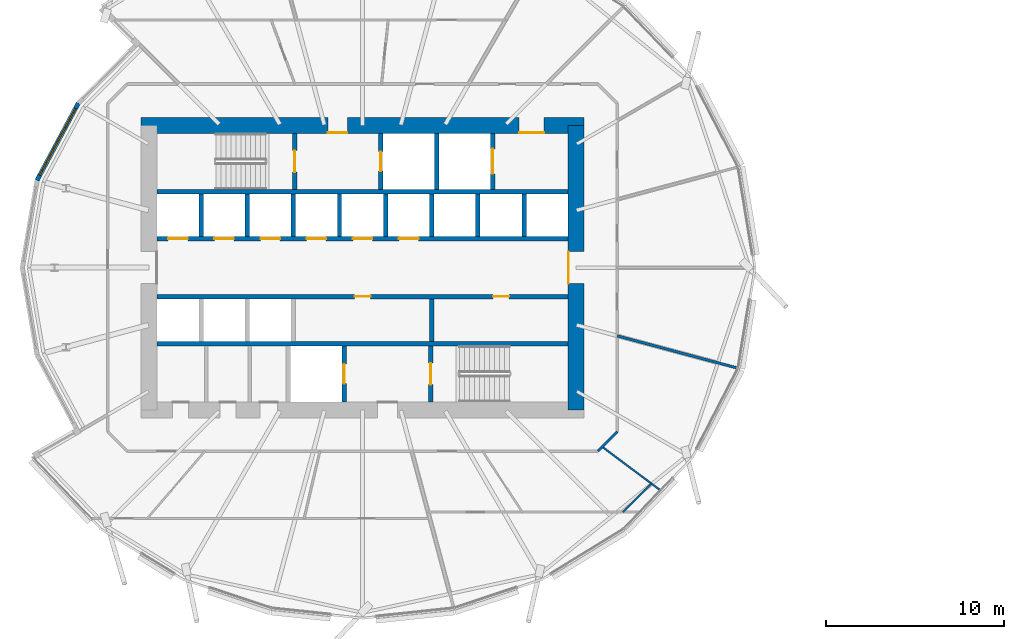
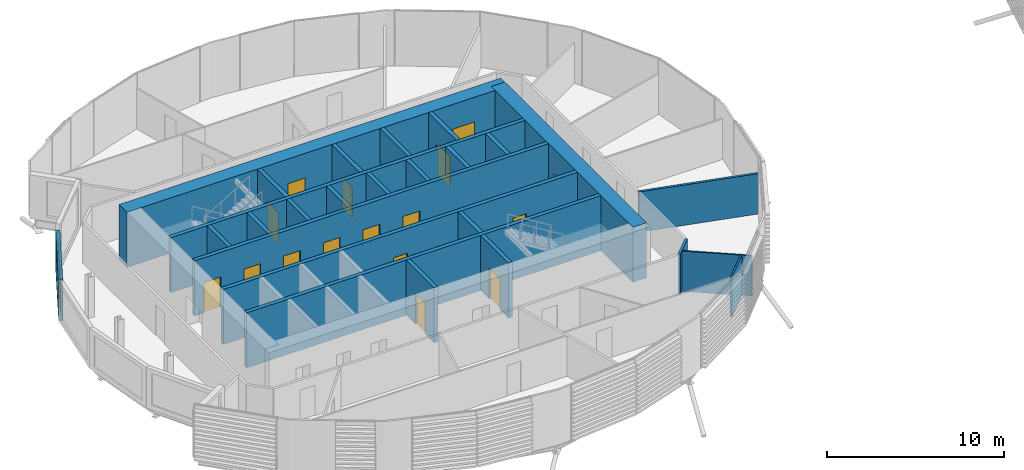
# One storey, part 20 of 36: 26 walls, 16 doors, 1 window, 17 openings.
"""IFC4 building model written with IfcOpenShell, lengths in metres."""

import ifcopenshell
import ifcopenshell.guid

model = None  # the IFC model being written
_history = None  # IfcOwnerHistory: only IFC2X3 demands one
_inside = {}  # id of a spatial element -> (the spatial element, [elements in it])
_under = {}  # id of a project, library or spatial element -> (it, [spatial elements below it])
_declared = {}  # id of a project -> (the project, [libraries it declares])
_typed = {}  # id of a type object -> (the type object, [elements of that type])
_made_of = {}  # id of a material, layer set ... -> (it, [elements and type objects made of it])


def new_model(schema):
    """Start an empty IFC model of exactly this schema.

    Asked for "IFC4X3", IfcOpenShell would pick the latest addendum, in which some entities
    have other attributes; the version numbers below select the first issue.
    IFC2X3 requires an IfcOwnerHistory on every rooted entity: one is made here for all.
    """
    global model, _history
    if schema == "IFC4X3":
        model = ifcopenshell.file(schema_version=(4, 3, 0, 0))
    else:
        model = ifcopenshell.file(schema=schema)
    _inside.clear()
    _under.clear()
    _declared.clear()
    _typed.clear()
    _made_of.clear()
    _history = None
    if model.schema == "IFC2X3":
        org = make("IfcOrganization", Name="unknown")
        user = make(
            "IfcPersonAndOrganization",
            ThePerson=make("IfcPerson", FamilyName="unknown"),
            TheOrganization=org,
        )
        app = make(
            "IfcApplication",
            ApplicationDeveloper=org,
            Version="unknown",
            ApplicationFullName="unknown",
            ApplicationIdentifier="unknown",
        )
        _history = make(
            "IfcOwnerHistory",
            OwningUser=user,
            OwningApplication=app,
            ChangeAction="ADDED",
            CreationDate=0,
        )
    return model


def make(cls, **values):
    """One entity of the class cls with the attributes given. An attribute that is None is left unset."""
    return model.create_entity(
        cls, **{name: value for name, value in values.items() if value is not None}
    )


def rooted(cls, **values):
    """An entity with a GlobalId (a new one), such as an element, a storey or a relation."""
    return make(cls, GlobalId=ifcopenshell.guid.new(), OwnerHistory=_history, **values)


def si_unit(unit_type, name, prefix=None):
    """IfcSIUnit, for example si_unit("LENGTHUNIT", "METRE", prefix="MILLI")."""
    return make("IfcSIUnit", UnitType=unit_type, Prefix=prefix, Name=name)


def assignment(units):
    """IfcUnitAssignment: the units of a project."""
    return None if units is None else make("IfcUnitAssignment", Units=units)


def point(xyz):
    """IfcCartesianPoint."""
    return None if xyz is None else make("IfcCartesianPoint", Coordinates=xyz)


def direction(xyz):
    """IfcDirection."""
    return None if xyz is None else make("IfcDirection", DirectionRatios=xyz)


def frame(location, z_axis=None, x_axis=None):
    """IfcAxis2Placement3D, a coordinate frame: its origin and axes. An axis left out is left unset."""
    return make(
        "IfcAxis2Placement3D",
        Location=point(location),
        Axis=direction(z_axis),
        RefDirection=direction(x_axis),
    )


def frame_2d(location, x_axis=None):
    """IfcAxis2Placement2D, a coordinate frame in the plane: its origin and x axis."""
    return make(
        "IfcAxis2Placement2D", Location=point(location), RefDirection=direction(x_axis)
    )


def origin():
    """The frame at (0, 0, 0) with its axes left unset."""
    return frame((0.0, 0.0, 0.0))


def place(relative_to, where):
    """IfcLocalPlacement: puts the frame where relative to a parent placement (None: the world)."""
    return make(
        "IfcLocalPlacement", PlacementRelTo=relative_to, RelativePlacement=where
    )


def context(
    kind, dimensions, precision=None, world=None, true_north=None, identifier=None
):
    """IfcGeometricRepresentationContext, for example the 3D "Model" context."""
    return make(
        "IfcGeometricRepresentationContext",
        ContextIdentifier=identifier,
        ContextType=kind,
        CoordinateSpaceDimension=dimensions,
        Precision=precision,
        WorldCoordinateSystem=world,
        TrueNorth=true_north,
    )


def subcontext(parent, identifier, kind, view, scale=None):
    """IfcGeometricRepresentationSubContext, for example "Body" below "Model"."""
    return make(
        "IfcGeometricRepresentationSubContext",
        ContextIdentifier=identifier,
        ContextType=kind,
        ParentContext=parent,
        TargetScale=scale,
        TargetView=view,
    )


def project(units=None, contexts=None):
    """IfcProject with its units and contexts."""
    return rooted(
        "IfcProject",
        Name="project",
        RepresentationContexts=contexts,
        UnitsInContext=assignment(units),
    )


def spatial(cls, under=None, at=None, **own):
    """A site, building, storey or space (cls), placed at a placement, below another one or the project."""
    s = rooted(cls, ObjectPlacement=at, **own)
    if under is not None:
        _under.setdefault(under.id(), (under, []))[1].append(s)
    return s


def profile(cls, at=None, kind="AREA", **sizes):
    """A parametric profile (cls). Its sizes go by their IFC names, for example OverallWidth=200.0."""
    return make(cls, ProfileType=kind, Position=at, **sizes)


def rectangle(**sizes):
    """IfcRectangleProfileDef."""
    return profile("IfcRectangleProfileDef", **sizes)


def extrude(swept, where, along, depth):
    """IfcExtrudedAreaSolid: the profile swept, set in the frame where, extruded along a direction by depth."""
    return make(
        "IfcExtrudedAreaSolid",
        SweptArea=swept,
        Position=where,
        ExtrudedDirection=direction(along),
        Depth=depth,
    )


def shape(context_of_items, identifier, shape_type, items):
    """IfcShapeRepresentation: the items that make up one representation, for example the "Body"."""
    return make(
        "IfcShapeRepresentation",
        ContextOfItems=context_of_items,
        RepresentationIdentifier=identifier,
        RepresentationType=shape_type,
        Items=items,
    )


def material(Name=None, Category=None):
    """IfcMaterial."""
    return make("IfcMaterial", Name=Name, Category=Category)


def layer(
    of_material, thickness, ventilated=None, Name=None, Category=None, Priority=None
):
    """IfcMaterialLayer: one layer of a wall or slab, of a material (None: an air gap)."""
    return make(
        "IfcMaterialLayer",
        Material=of_material,
        LayerThickness=thickness,
        IsVentilated=ventilated,
        Name=Name,
        Category=Category,
        Priority=Priority,
    )


def layer_set(layers, Name=None):
    """IfcMaterialLayerSet."""
    return make("IfcMaterialLayerSet", MaterialLayers=layers, LayerSetName=Name)


def made_of(thing, what):
    """Note that an element or type object is made of a material, layer set ...; save() writes the relation."""
    if what is not None:
        _made_of.setdefault(what.id(), (what, []))[1].append(thing)
    return thing


def type_object(cls, material=None, **own):
    """A type object (cls), such as IfcWallType, which elements share."""
    return made_of(rooted(cls, **own), material)


def element(
    cls,
    number,
    at=None,
    inside=None,
    cuts=None,
    type_object=None,
    material=None,
    context=None,
    identifier="Body",
    shape_type=None,
    held_by="IfcProductDefinitionShape",
    body=None,
    shapes=None,
    **own,
):
    """One element of the class cls, such as IfcWall. Its Tag is "e" and its number.

    at: its placement. inside: the storey or other place that contains it. cuts: it is an
    opening in that element (IfcRelVoidsElement). A single representation is given by context,
    identifier, shape_type and body (its items); several are given by shapes. held_by: the class
    of the entity that holds the representations. save() writes the other relations.
    """
    e = rooted(cls, Tag="e%d" % number, ObjectPlacement=at, **own)
    if body is not None:
        shapes = [shape(context, identifier, shape_type, body)]
    if shapes is not None:
        e.Representation = make(held_by, Representations=shapes)
    if inside is not None:
        _inside.setdefault(inside.id(), (inside, []))[1].append(e)
    if cuts is not None:
        rooted(
            "IfcRelVoidsElement", RelatingBuildingElement=cuts, RelatedOpeningElement=e
        )
    if type_object is not None:
        _typed.setdefault(type_object.id(), (type_object, []))[1].append(e)
    return made_of(e, material)


def fill(opening, filler):
    """IfcRelFillsElement: the door or window that sits in an opening."""
    return rooted(
        "IfcRelFillsElement",
        RelatingOpeningElement=opening,
        RelatedBuildingElement=filler,
    )


def aggregate(whole, parts):
    """IfcRelAggregates: a whole, such as a stair, and the parts it consists of."""
    return rooted("IfcRelAggregates", RelatingObject=whole, RelatedObjects=parts)


def save(model, path):
    """Write the relations noted so far, then the file.

    IfcRelAggregates (storeys below a building ...), IfcRelContainedInSpatialStructure (elements
    in a storey), IfcRelDefinesByType, IfcRelAssociatesMaterial and IfcRelDeclares: one each for
    every whole, place, type object, material and project.
    """
    for whole, parts in _under.values():
        aggregate(whole, parts)
    for where, things in _inside.values():
        rooted(
            "IfcRelContainedInSpatialStructure",
            RelatedElements=things,
            RelatingStructure=where,
        )
    for kind, things in _typed.values():
        rooted("IfcRelDefinesByType", RelatedObjects=things, RelatingType=kind)
    for what, things in _made_of.values():
        rooted("IfcRelAssociatesMaterial", RelatedObjects=things, RelatingMaterial=what)
    for by, libraries in _declared.values():
        rooted("IfcRelDeclares", RelatingContext=by, RelatedDefinitions=libraries)
    model.write(path)


model = new_model("IFC4")

# Units and contexts
model_context = context("Model", 3, precision=1e-05, world=origin(), true_north=direction((0.0, 1.0)))
body_context = subcontext(model_context, "Body", "Model", "MODEL_VIEW")
ifc_project = project(units=[si_unit("LENGTHUNIT", "METRE"), si_unit("AREAUNIT", "SQUARE_METRE"), si_unit("VOLUMEUNIT", "CUBIC_METRE"), si_unit("PLANEANGLEUNIT", "RADIAN"), si_unit("MASSUNIT", "GRAM", prefix="KILO")], contexts=[model_context])

# Site, building, storey
site_placement = place(None, origin())
site = spatial("IfcSite", under=ifc_project, at=site_placement, CompositionType="ELEMENT")
building_placement = place(site_placement, origin())
building = spatial("IfcBuilding", under=site, at=building_placement, Name="Rimbun Link Towers", CompositionType="ELEMENT")
storey_placement = place(building_placement, frame((0.0, 0.0, 37.60009765625)))
storey = spatial("IfcBuildingStorey", under=building, at=storey_placement, Name="L08", CompositionType="ELEMENT", Elevation=37.60009765625)

# Wall, opening, window
ifc_material_1 = material(Name="Dark enamelled glass spandrel on insulated aluminium backpan", Category="aluminium")
ifc_layer_1 = layer(ifc_material_1, 0.25)
ifc_layer_set_1 = layer_set([ifc_layer_1], Name="CS dark enamelled spandrel wall 250")
wall_type_1 = type_object("IfcWallType", Name="CS dark enamelled spandrel wall 250", PredefinedType="STANDARD", material=ifc_layer_set_1)
wall_1_placement = place(storey_placement, frame((-50.0556640625, 4.913818359375, 0.0), z_axis=(0.0, 0.0, 1.0), x_axis=(0.47156780377, 0.881829805828, 0.0)))
wall_1 = element("IfcWall", 1, at=wall_1_placement, inside=storey, type_object=wall_type_1, Name="Crease spandrel wall", PredefinedType="STANDARD", context=body_context, shape_type="SweptSolid", body=[
    extrude(rectangle(XDim=4.914306640625, YDim=0.25, at=frame_2d((2.45703125, 0.0))), origin(), (0.0, 0.0, 1.0), 2.789306640625),
])
opening_1_placement = place(wall_1_placement, frame((0.33203125, 0.0, 0.300048828125)))
opening_1 = element("IfcOpeningElement", 2, at=opening_1_placement, cuts=wall_1, Name="Opening WR42H220", PredefinedType="OPENING", context=body_context, shape_type="SweptSolid", body=[
    extrude(rectangle(XDim=4.25, YDim=2.199951171875, at=frame_2d((2.125, 1.10009765625))), frame((0.0, 0.135009765625, 0.0), z_axis=(0.0, -1.0, 0.0), x_axis=(1.0, 0.0, 0.0)), (0.0, 0.0, 1.0), 0.27001953125),
])
ifc_material_2 = material(Name="Aluminium framed fixed window, dark tinted low-e glass", Category="aluminium")
window_type = type_object("IfcWindowType", Name="WR ribbon window 4250X2200", PartitioningType="SINGLE_PANEL", PredefinedType="WINDOW", material=ifc_material_2)
window_placement = place(opening_1_placement, origin())
window = element("IfcWindow", 3, at=window_placement, inside=storey, type_object=window_type, Name="Crease ribbon window", OverallHeight=2.199951171875, OverallWidth=4.25, PartitioningType="SINGLE_PANEL", PredefinedType="WINDOW", context=body_context, shape_type="SweptSolid", body=[
    extrude(rectangle(XDim=4.25, YDim=2.199951171875, at=frame_2d((2.125, 1.10009765625))), frame((0.0, 0.030029296875, 0.0), z_axis=(0.0, -1.0, 0.0), x_axis=(1.0, 0.0, 0.0)), (0.0, 0.0, 1.0), 0.06005859375),
])
fill(opening_1, window)

# Wall, openings, doors
ifc_material_3 = material(Name="Concrete C60/75", Category="concrete")
ifc_layer_2 = layer(ifc_material_3, 0.89990234375)
ifc_layer_set_2 = layer_set([ifc_layer_2], Name="Core shear wall 900")
wall_type_2 = type_object("IfcWallType", Name="Core shear wall 900", PredefinedType="SHEAR", material=ifc_layer_set_2)
wall_2_placement = place(storey_placement, frame((-44.199951171875, 8.0, 0.0), z_axis=(0.0, 0.0, 1.0), x_axis=(1.0, 0.0, 0.0)))
wall_2 = element("IfcWall", 4, at=wall_2_placement, inside=storey, type_object=wall_type_2, Name="L08 T1 core wall N", PredefinedType="SHEAR", context=body_context, shape_type="SweptSolid", body=[
    extrude(rectangle(XDim=24.89990234375, YDim=0.89990234375, at=frame_2d((12.449951171875, 0.0))), origin(), (0.0, 0.0, 1.0), 3.7998046875),
])
opening_2_placement = place(wall_2_placement, frame((10.5, 0.0, 0.0)))
opening_2 = element("IfcOpeningElement", 5, at=opening_2_placement, cuts=wall_2, Name="Opening C1DCF01N", PredefinedType="OPENING", context=body_context, shape_type="SweptSolid", body=[
    extrude(rectangle(XDim=1.10009765625, YDim=2.10009765625, at=frame_2d((0.550048828125, 1.050048828125))), frame((0.0, 0.4599609375, 0.0), z_axis=(0.0, -1.0, 0.0), x_axis=(1.0, 0.0, 0.0)), (0.0, 0.0, 1.0), 0.919921875),
])
opening_3_placement = place(wall_2_placement, frame((21.25, 0.0, 0.0)))
opening_3 = element("IfcOpeningElement", 6, at=opening_3_placement, cuts=wall_2, Name="Opening C1DSL02N", PredefinedType="OPENING", context=body_context, shape_type="SweptSolid", body=[
    extrude(rectangle(XDim=1.39990234375, YDim=2.10009765625, at=frame_2d((0.699951171875, 1.050048828125))), frame((0.0, 0.4599609375, 0.0), z_axis=(0.0, -1.0, 0.0), x_axis=(1.0, 0.0, 0.0)), (0.0, 0.0, 1.0), 0.919921875),
])
ifc_material_4 = material(Name="Steel fire door set", Category="steel")
door_type_1 = type_object("IfcDoorType", Name="Core fire door single", OperationType="SINGLE_SWING_LEFT", PredefinedType="DOOR", material=ifc_material_4)
door_1_placement = place(opening_2_placement, origin())
door_1 = element("IfcDoor", 7, at=door_1_placement, inside=storey, type_object=door_type_1, Name="L08 T1 firefighting lobby n door", OperationType="SINGLE_SWING_RIGHT", OverallHeight=2.10009765625, OverallWidth=1.10009765625, PredefinedType="DOOR", context=body_context, shape_type="SweptSolid", body=[
    extrude(rectangle(XDim=1.10009765625, YDim=2.10009765625, at=frame_2d((0.550048828125, 1.050048828125))), frame((0.0, -0.39990234375, 0.0), z_axis=(0.0, -1.0, 0.0), x_axis=(1.0, 0.0, 0.0)), (0.0, 0.0, 1.0), 0.050048828125),
])
fill(opening_2, door_1)
ifc_material_5 = material(Name="Steel fire door set", Category="steel")
door_type_2 = type_object("IfcDoorType", Name="Service lobby door double", OperationType="DOUBLE_DOOR_SINGLE_SWING", PredefinedType="DOOR", material=ifc_material_5)
door_2_placement = place(opening_3_placement, origin())
door_2 = element("IfcDoor", 8, at=door_2_placement, inside=storey, type_object=door_type_2, Name="L08 T1 service lobby door", OperationType="DOUBLE_DOOR_SINGLE_SWING", OverallHeight=2.10009765625, OverallWidth=1.39990234375, PredefinedType="DOOR", context=body_context, shape_type="SweptSolid", body=[
    extrude(rectangle(XDim=1.39990234375, YDim=2.10009765625, at=frame_2d((0.699951171875, 1.050048828125))), frame((0.0, -0.39990234375, 0.0), z_axis=(0.0, -1.0, 0.0), x_axis=(1.0, 0.0, 0.0)), (0.0, 0.0, 1.0), 0.050048828125),
])
fill(opening_3, door_2)

# Wall, opening, door
wall_3_placement = place(storey_placement, frame((-19.75, -8.0, 0.0), z_axis=(0.0, 0.0, 1.0), x_axis=(0.0, 1.0, 0.0)))
wall_3 = element("IfcWall", 9, at=wall_3_placement, inside=storey, type_object=wall_type_2, Name="L08 T1 core wall E", PredefinedType="SHEAR", context=body_context, shape_type="SweptSolid", body=[
    extrude(rectangle(XDim=16.0, YDim=0.89990234375, at=frame_2d((8.0, 0.0))), origin(), (0.0, 0.0, 1.0), 3.7998046875),
])
opening_4_placement = place(wall_3_placement, frame((7.10009765625, 0.0, 0.0)))
opening_4 = element("IfcOpeningElement", 10, at=opening_4_placement, cuts=wall_3, Name="Opening C1DCL01E", PredefinedType="OPENING", context=body_context, shape_type="SweptSolid", body=[
    extrude(rectangle(XDim=1.800048828125, YDim=2.10009765625, at=frame_2d((0.89990234375, 1.050048828125))), frame((0.0, 0.4599609375, 0.0), z_axis=(0.0, -1.0, 0.0), x_axis=(1.0, 0.0, 0.0)), (0.0, 0.0, 1.0), 0.919921875),
])
ifc_material_6 = material(Name="Steel fire door set", Category="steel")
door_type_3 = type_object("IfcDoorType", Name="Core lobby door double", OperationType="DOUBLE_DOOR_SINGLE_SWING", PredefinedType="DOOR", material=ifc_material_6)
door_3_placement = place(opening_4_placement, origin())
door_3 = element("IfcDoor", 11, at=door_3_placement, inside=storey, type_object=door_type_3, Name="L08 T1 lift lobby door", OperationType="DOUBLE_DOOR_SINGLE_SWING", OverallHeight=2.10009765625, OverallWidth=1.800048828125, PredefinedType="DOOR", context=body_context, shape_type="SweptSolid", body=[
    extrude(rectangle(XDim=1.800048828125, YDim=2.10009765625, at=frame_2d((0.89990234375, 1.050048828125))), frame((0.0, 0.4501953125, 0.0), z_axis=(0.0, -1.0, 0.0), x_axis=(1.0, 0.0, 0.0)), (0.0, 0.0, 1.0), 0.050048828125),
])
fill(opening_4, door_3)

# Walls
ifc_material_7 = material(Name="Plasterboard on steel stud, mineral wool", Category="steel")
ifc_layer_3 = layer(ifc_material_7, 0.14990234375)
ifc_layer_set_3 = layer_set([ifc_layer_3], Name="Corridor wall EI 30 150 mm")
wall_type_3 = type_object("IfcWallType", Name="Corridor wall EI 30 150 mm", PredefinedType="PARTITIONING", material=ifc_layer_set_3)
wall_4_placement = place(storey_placement, frame((-18.523193359375, -10.324951171875, 0.0), z_axis=(0.0, 0.0, 1.0), x_axis=(0.707106781187, 0.707106781187, 0.0)))
element("IfcWall", 12, at=wall_4_placement, inside=storey, type_object=wall_type_3, Name="Corridor wall EI 30 150 mm", PredefinedType="PARTITIONING", context=body_context, shape_type="SweptSolid", body=[
    extrude(rectangle(XDim=1.552978515625, YDim=0.14990234375, at=frame_2d((0.7763671875, 0.0))), origin(), (0.0, 0.0, 1.0), 2.77880859375),
])
ifc_material_8 = material(Name="Plasterboard on steel stud", Category="steel")
ifc_layer_4 = layer(ifc_material_8, 0.10009765625)
ifc_layer_set_4 = layer_set([ifc_layer_4], Name="Plasterboard partition 100 mm")
wall_type_4 = type_object("IfcWallType", Name="Plasterboard partition 100 mm", PredefinedType="PARTITIONING", material=ifc_layer_set_4)
wall_5_placement = place(storey_placement, frame((-15.01171875, -12.515380859375, 0.0), z_axis=(0.0, 0.0, 1.0), x_axis=(-0.800890859627, 0.598810346408, 0.0)))
element("IfcWall", 13, at=wall_5_placement, inside=storey, type_object=wall_type_4, Name="Plasterboard partition 100 mm", PredefinedType="PARTITIONING", context=body_context, shape_type="SweptSolid", body=[
    extrude(rectangle(XDim=4.07373046875, YDim=0.10009765625, at=frame_2d((2.036865234375, 0.0))), origin(), (0.0, 0.0, 1.0), 2.77880859375),
])
wall_6_placement = place(storey_placement, frame((-17.106689453125, -13.7451171875, 0.0), z_axis=(0.0, 0.0, 1.0), x_axis=(0.707052822105, 0.70716073615, 0.0)))
element("IfcWall", 14, at=wall_6_placement, inside=storey, type_object=wall_type_4, Name="Plasterboard partition 100 mm", PredefinedType="PARTITIONING", context=body_context, shape_type="SweptSolid", body=[
    extrude(rectangle(XDim=2.262451171875, YDim=0.10009765625, at=frame_2d((1.13134765625, 0.0))), origin(), (0.0, 0.0, 1.0), 2.77880859375),
])
ifc_material_9 = material(Name="Concrete C60/75", Category="concrete")
ifc_layer_5 = layer(ifc_material_9, 0.25)
ifc_layer_set_5 = layer_set([ifc_layer_5], Name="Shaft wall 250")
wall_type_5 = type_object("IfcWallType", Name="Shaft wall 250", PredefinedType="SHEAR", material=ifc_layer_set_5)
for number, where, z_axis, x_axis, name in (
    (15, (-43.300048828125, 4.27490234375, 0.0), (0.0, 0.0, 1.0), (1.0, 0.0, 0.0), "L08 T1 core wall BN"),
    (16, (-43.300048828125, -4.27490234375, 0.0), (0.0, 0.0, 1.0), (1.0, 0.0, 0.0), "L08 T1 core wall BS"),
):
    element("IfcWall", number, at=place(storey_placement, frame(where, z_axis=z_axis, x_axis=x_axis)), inside=storey, type_object=wall_type_5, Name=name, PredefinedType="SHEAR", context=body_context, shape_type="SweptSolid", body=[
        extrude(rectangle(XDim=23.10009765625, YDim=0.25, at=frame_2d((11.550048828125, 0.0))), origin(), (0.0, 0.0, 1.0), 3.7998046875),
    ])

# Wall, openings, doors
wall_7_placement = place(storey_placement, frame((-43.300048828125, 1.625, 0.0), z_axis=(0.0, 0.0, 1.0), x_axis=(1.0, 0.0, 0.0)))
wall_7 = element("IfcWall", 17, at=wall_7_placement, inside=storey, type_object=wall_type_5, Name="L08 T1 core wall FN", PredefinedType="SHEAR", context=body_context, shape_type="SweptSolid", body=[
    extrude(rectangle(XDim=23.10009765625, YDim=0.25, at=frame_2d((11.550048828125, 0.0))), origin(), (0.0, 0.0, 1.0), 3.7998046875),
])
opening_5_placement = place(wall_7_placement, frame((0.622314453125, 0.0, 0.0)))
opening_5 = element("IfcOpeningElement", 18, at=opening_5_placement, cuts=wall_7, Name="Opening LD-T1-LR1", PredefinedType="OPENING", context=body_context, shape_type="SweptSolid", body=[
    extrude(rectangle(XDim=1.10009765625, YDim=2.10009765625, at=frame_2d((0.550048828125, 1.050048828125))), frame((0.0, 0.135009765625, 0.0), z_axis=(0.0, -1.0, 0.0), x_axis=(1.0, 0.0, 0.0)), (0.0, 0.0, 1.0), 0.27001953125),
])
opening_6_placement = place(wall_7_placement, frame((3.216796875, 0.0, 0.0)))
opening_6 = element("IfcOpeningElement", 19, at=opening_6_placement, cuts=wall_7, Name="Opening LD-T1-LR2", PredefinedType="OPENING", context=body_context, shape_type="SweptSolid", body=[
    extrude(rectangle(XDim=1.10009765625, YDim=2.10009765625, at=frame_2d((0.550048828125, 1.050048828125))), frame((0.0, 0.135009765625, 0.0), z_axis=(0.0, -1.0, 0.0), x_axis=(1.0, 0.0, 0.0)), (0.0, 0.0, 1.0), 0.27001953125),
])
opening_7_placement = place(wall_7_placement, frame((5.81103515625, 0.0, 0.0)))
opening_7 = element("IfcOpeningElement", 20, at=opening_7_placement, cuts=wall_7, Name="Opening LD-T1-LR3", PredefinedType="OPENING", context=body_context, shape_type="SweptSolid", body=[
    extrude(rectangle(XDim=1.10009765625, YDim=2.10009765625, at=frame_2d((0.550048828125, 1.050048828125))), frame((0.0, 0.135009765625, 0.0), z_axis=(0.0, -1.0, 0.0), x_axis=(1.0, 0.0, 0.0)), (0.0, 0.0, 1.0), 0.27001953125),
])
opening_8_placement = place(wall_7_placement, frame((8.405517578125, 0.0, 0.0)))
opening_8 = element("IfcOpeningElement", 21, at=opening_8_placement, cuts=wall_7, Name="Opening LD-T1-LR4", PredefinedType="OPENING", context=body_context, shape_type="SweptSolid", body=[
    extrude(rectangle(XDim=1.10009765625, YDim=2.10009765625, at=frame_2d((0.550048828125, 1.050048828125))), frame((0.0, 0.135009765625, 0.0), z_axis=(0.0, -1.0, 0.0), x_axis=(1.0, 0.0, 0.0)), (0.0, 0.0, 1.0), 0.27001953125),
])
opening_9_placement = place(wall_7_placement, frame((11.0, 0.0, 0.0)))
opening_9 = element("IfcOpeningElement", 22, at=opening_9_placement, cuts=wall_7, Name="Opening LD-T1-LR5", PredefinedType="OPENING", context=body_context, shape_type="SweptSolid", body=[
    extrude(rectangle(XDim=1.10009765625, YDim=2.10009765625, at=frame_2d((0.550048828125, 1.050048828125))), frame((0.0, 0.135009765625, 0.0), z_axis=(0.0, -1.0, 0.0), x_axis=(1.0, 0.0, 0.0)), (0.0, 0.0, 1.0), 0.27001953125),
])
opening_10_placement = place(wall_7_placement, frame((13.594482421875, 0.0, 0.0)))
opening_10 = element("IfcOpeningElement", 23, at=opening_10_placement, cuts=wall_7, Name="Opening LD-T1-LR6", PredefinedType="OPENING", context=body_context, shape_type="SweptSolid", body=[
    extrude(rectangle(XDim=1.10009765625, YDim=2.10009765625, at=frame_2d((0.550048828125, 1.050048828125))), frame((0.0, 0.135009765625, 0.0), z_axis=(0.0, -1.0, 0.0), x_axis=(1.0, 0.0, 0.0)), (0.0, 0.0, 1.0), 0.27001953125),
])
ifc_material_10 = material(Name="Stainless steel grade 316", Category="steel")
door_type_4 = type_object("IfcDoorType", Name="Lift landing door", OperationType="DOUBLE_DOOR_SLIDING", PredefinedType="DOOR", material=ifc_material_10)
door_4_placement = place(opening_5_placement, origin())
door_4 = element("IfcDoor", 24, at=door_4_placement, inside=storey, type_object=door_type_4, Name="L08 T1 lift LR1 landing door", OperationType="DOUBLE_DOOR_SLIDING", OverallHeight=2.10009765625, OverallWidth=1.10009765625, PredefinedType="DOOR", context=body_context, shape_type="SweptSolid", body=[
    extrude(rectangle(XDim=1.10009765625, YDim=2.10009765625, at=frame_2d((0.550048828125, 1.050048828125))), frame((0.0, 0.02490234375, 0.0), z_axis=(0.0, -1.0, 0.0), x_axis=(1.0, 0.0, 0.0)), (0.0, 0.0, 1.0), 0.050048828125),
])
fill(opening_5, door_4)
door_5_placement = place(opening_6_placement, origin())
door_5 = element("IfcDoor", 25, at=door_5_placement, inside=storey, type_object=door_type_4, Name="L08 T1 lift LR2 landing door", OperationType="DOUBLE_DOOR_SLIDING", OverallHeight=2.10009765625, OverallWidth=1.10009765625, PredefinedType="DOOR", context=body_context, shape_type="SweptSolid", body=[
    extrude(rectangle(XDim=1.10009765625, YDim=2.10009765625, at=frame_2d((0.550048828125, 1.050048828125))), frame((0.0, 0.02490234375, 0.0), z_axis=(0.0, -1.0, 0.0), x_axis=(1.0, 0.0, 0.0)), (0.0, 0.0, 1.0), 0.050048828125),
])
fill(opening_6, door_5)
door_6_placement = place(opening_7_placement, origin())
door_6 = element("IfcDoor", 26, at=door_6_placement, inside=storey, type_object=door_type_4, Name="L08 T1 lift LR3 landing door", OperationType="DOUBLE_DOOR_SLIDING", OverallHeight=2.10009765625, OverallWidth=1.10009765625, PredefinedType="DOOR", context=body_context, shape_type="SweptSolid", body=[
    extrude(rectangle(XDim=1.10009765625, YDim=2.10009765625, at=frame_2d((0.550048828125, 1.050048828125))), frame((0.0, 0.02490234375, 0.0), z_axis=(0.0, -1.0, 0.0), x_axis=(1.0, 0.0, 0.0)), (0.0, 0.0, 1.0), 0.050048828125),
])
fill(opening_7, door_6)
door_7_placement = place(opening_8_placement, origin())
door_7 = element("IfcDoor", 27, at=door_7_placement, inside=storey, type_object=door_type_4, Name="L08 T1 lift LR4 landing door", OperationType="DOUBLE_DOOR_SLIDING", OverallHeight=2.10009765625, OverallWidth=1.10009765625, PredefinedType="DOOR", context=body_context, shape_type="SweptSolid", body=[
    extrude(rectangle(XDim=1.10009765625, YDim=2.10009765625, at=frame_2d((0.550048828125, 1.050048828125))), frame((0.0, 0.02490234375, 0.0), z_axis=(0.0, -1.0, 0.0), x_axis=(1.0, 0.0, 0.0)), (0.0, 0.0, 1.0), 0.050048828125),
])
fill(opening_8, door_7)
door_8_placement = place(opening_9_placement, origin())
door_8 = element("IfcDoor", 28, at=door_8_placement, inside=storey, type_object=door_type_4, Name="L08 T1 lift LR5 landing door", OperationType="DOUBLE_DOOR_SLIDING", OverallHeight=2.10009765625, OverallWidth=1.10009765625, PredefinedType="DOOR", context=body_context, shape_type="SweptSolid", body=[
    extrude(rectangle(XDim=1.10009765625, YDim=2.10009765625, at=frame_2d((0.550048828125, 1.050048828125))), frame((0.0, 0.02490234375, 0.0), z_axis=(0.0, -1.0, 0.0), x_axis=(1.0, 0.0, 0.0)), (0.0, 0.0, 1.0), 0.050048828125),
])
fill(opening_9, door_8)
door_9_placement = place(opening_10_placement, origin())
door_9 = element("IfcDoor", 29, at=door_9_placement, inside=storey, type_object=door_type_4, Name="L08 T1 lift LR6 landing door", OperationType="DOUBLE_DOOR_SLIDING", OverallHeight=2.10009765625, OverallWidth=1.10009765625, PredefinedType="DOOR", context=body_context, shape_type="SweptSolid", body=[
    extrude(rectangle(XDim=1.10009765625, YDim=2.10009765625, at=frame_2d((0.550048828125, 1.050048828125))), frame((0.0, 0.02490234375, 0.0), z_axis=(0.0, -1.0, 0.0), x_axis=(1.0, 0.0, 0.0)), (0.0, 0.0, 1.0), 0.050048828125),
])
fill(opening_10, door_9)

wall_8_placement = place(storey_placement, frame((-43.300048828125, -1.625, 0.0), z_axis=(0.0, 0.0, 1.0), x_axis=(1.0, 0.0, 0.0)))
wall_8 = element("IfcWall", 30, at=wall_8_placement, inside=storey, type_object=wall_type_5, Name="L08 T1 core wall FS", PredefinedType="SHEAR", context=body_context, shape_type="SweptSolid", body=[
    extrude(rectangle(XDim=23.10009765625, YDim=0.25, at=frame_2d((11.550048828125, 0.0))), origin(), (0.0, 0.0, 1.0), 3.7998046875),
])
opening_11_placement = place(wall_8_placement, frame((11.10009765625, 0.0, 0.0)))
opening_11 = element("IfcOpeningElement", 31, at=opening_11_placement, cuts=wall_8, Name="Opening C1DRS01FS", PredefinedType="OPENING", context=body_context, shape_type="SweptSolid", body=[
    extrude(rectangle(XDim=0.89990234375, YDim=2.10009765625, at=frame_2d((0.449951171875, 1.050048828125))), frame((0.0, 0.135009765625, 0.0), z_axis=(0.0, -1.0, 0.0), x_axis=(1.0, 0.0, 0.0)), (0.0, 0.0, 1.0), 0.27001953125),
])
opening_12_placement = place(wall_8_placement, frame((18.88330078125, 0.0, 0.0)))
opening_12 = element("IfcOpeningElement", 32, at=opening_12_placement, cuts=wall_8, Name="Opening C1DRS02FS", PredefinedType="OPENING", context=body_context, shape_type="SweptSolid", body=[
    extrude(rectangle(XDim=0.89990234375, YDim=2.10009765625, at=frame_2d((0.449951171875, 1.050048828125))), frame((0.0, 0.135009765625, 0.0), z_axis=(0.0, -1.0, 0.0), x_axis=(1.0, 0.0, 0.0)), (0.0, 0.0, 1.0), 0.27001953125),
])
ifc_material_11 = material(Name="Steel fire door set", Category="steel")
door_type_5 = type_object("IfcDoorType", Name="Core riser door", OperationType="SINGLE_SWING_LEFT", PredefinedType="DOOR", material=ifc_material_11)
door_10_placement = place(opening_11_placement, origin())
door_10 = element("IfcDoor", 33, at=door_10_placement, inside=storey, type_object=door_type_5, Name="L08 T1 plant room door", OperationType="SINGLE_SWING_LEFT", OverallHeight=2.10009765625, OverallWidth=0.89990234375, PredefinedType="DOOR", context=body_context, shape_type="SweptSolid", body=[
    extrude(rectangle(XDim=0.89990234375, YDim=2.10009765625, at=frame_2d((0.449951171875, 1.050048828125))), frame((0.0, 0.02490234375, 0.0), z_axis=(0.0, -1.0, 0.0), x_axis=(1.0, 0.0, 0.0)), (0.0, 0.0, 1.0), 0.050048828125),
])
fill(opening_11, door_10)
door_11_placement = place(opening_12_placement, origin())
door_11 = element("IfcDoor", 34, at=door_11_placement, inside=storey, type_object=door_type_5, Name="L08 T1 wellness room door", OperationType="SINGLE_SWING_RIGHT", OverallHeight=2.10009765625, OverallWidth=0.89990234375, PredefinedType="DOOR", context=body_context, shape_type="SweptSolid", body=[
    extrude(rectangle(XDim=0.89990234375, YDim=2.10009765625, at=frame_2d((0.449951171875, 1.050048828125))), frame((0.0, 0.02490234375, 0.0), z_axis=(0.0, -1.0, 0.0), x_axis=(1.0, 0.0, 0.0)), (0.0, 0.0, 1.0), 0.050048828125),
])
fill(opening_12, door_11)

# Walls
for number, where, z_axis, x_axis, name in (
    (35, (-40.83056640625, 1.75, 0.0), (0.0, 0.0, 1.0), (0.0, 1.0, 0.0), "L08 T1 core wall DN0"),
    (36, (-38.236083984375, 1.75, 0.0), (0.0, 0.0, 1.0), (0.0, 1.0, 0.0), "L08 T1 core wall DN1"),
    (37, (-35.6416015625, 1.75, 0.0), (0.0, 0.0, 1.0), (0.0, 1.0, 0.0), "L08 T1 core wall DN2"),
    (38, (-33.047119140625, 1.75, 0.0), (0.0, 0.0, 1.0), (0.0, 1.0, 0.0), "L08 T1 core wall DN3"),
    (39, (-30.452880859375, 1.75, 0.0), (0.0, 0.0, 1.0), (0.0, 1.0, 0.0), "L08 T1 core wall DN4"),
    (40, (-27.8583984375, 1.75, 0.0), (0.0, 0.0, 1.0), (0.0, 1.0, 0.0), "L08 T1 core wall DN5"),
    (41, (-25.263916015625, 1.75, 0.0), (0.0, 0.0, 1.0), (0.0, 1.0, 0.0), "L08 T1 core wall DN6"),
    (42, (-22.66943359375, 1.75, 0.0), (0.0, 0.0, 1.0), (0.0, 1.0, 0.0), "L08 T1 core wall DN7"),
    (43, (-27.8583984375, -4.14990234375, 0.0), (0.0, 0.0, 1.0), (0.0, 1.0, 0.0), "L08 T1 core wall DS5"),
):
    element("IfcWall", number, at=place(storey_placement, frame(where, z_axis=z_axis, x_axis=x_axis)), inside=storey, type_object=wall_type_5, Name=name, PredefinedType="SHEAR", context=body_context, shape_type="SweptSolid", body=[
        extrude(rectangle(XDim=2.39990234375, YDim=0.25, at=frame_2d((1.199951171875, 0.0))), origin(), (0.0, 0.0, 1.0), 3.7998046875),
    ])

# Wall, opening, door
wall_9_placement = place(storey_placement, frame((-35.574951171875, 4.39990234375, 0.0), z_axis=(0.0, 0.0, 1.0), x_axis=(0.0, 1.0, 0.0)))
wall_9 = element("IfcWall", 44, at=wall_9_placement, inside=storey, type_object=wall_type_5, Name="L08 T1 core wall A1", PredefinedType="SHEAR", context=body_context, shape_type="SweptSolid", body=[
    extrude(rectangle(XDim=3.150146484375, YDim=0.25, at=frame_2d((1.5751953125, 0.0))), origin(), (0.0, 0.0, 1.0), 3.7998046875),
])
opening_13_placement = place(wall_9_placement, frame((0.97509765625, 0.0, 0.0)))
opening_13 = element("IfcOpeningElement", 45, at=opening_13_placement, cuts=wall_9, Name="Opening C1DST01A1", PredefinedType="OPENING", context=body_context, shape_type="SweptSolid", body=[
    extrude(rectangle(XDim=1.199951171875, YDim=2.10009765625, at=frame_2d((0.60009765625, 1.050048828125))), frame((0.0, 0.135009765625, 0.0), z_axis=(0.0, -1.0, 0.0), x_axis=(1.0, 0.0, 0.0)), (0.0, 0.0, 1.0), 0.27001953125),
])
ifc_material_12 = material(Name="Steel fire door set", Category="steel")
door_type_6 = type_object("IfcDoorType", Name="Stair door", OperationType="SINGLE_SWING_LEFT", PredefinedType="DOOR", material=ifc_material_12)
door_12_placement = place(opening_13_placement, origin())
door_12 = element("IfcDoor", 46, at=door_12_placement, inside=storey, type_object=door_type_6, Name="L08 T1 stair a door", OperationType="SINGLE_SWING_RIGHT", OverallHeight=2.10009765625, OverallWidth=1.199951171875, PredefinedType="DOOR", context=body_context, shape_type="SweptSolid", body=[
    extrude(rectangle(XDim=1.199951171875, YDim=2.10009765625, at=frame_2d((0.60009765625, 1.050048828125))), frame((0.0, 0.02490234375, 0.0), z_axis=(0.0, -1.0, 0.0), x_axis=(1.0, 0.0, 0.0)), (0.0, 0.0, 1.0), 0.050048828125),
])
fill(opening_13, door_12)

wall_10_placement = place(storey_placement, frame((-30.72509765625, 4.39990234375, 0.0), z_axis=(0.0, 0.0, 1.0), x_axis=(0.0, 1.0, 0.0)))
wall_10 = element("IfcWall", 47, at=wall_10_placement, inside=storey, type_object=wall_type_5, Name="L08 T1 core wall A2", PredefinedType="SHEAR", context=body_context, shape_type="SweptSolid", body=[
    extrude(rectangle(XDim=3.150146484375, YDim=0.25, at=frame_2d((1.5751953125, 0.0))), origin(), (0.0, 0.0, 1.0), 3.7998046875),
])
opening_14_placement = place(wall_10_placement, frame((1.02490234375, 0.0, 0.0)))
opening_14 = element("IfcOpeningElement", 48, at=opening_14_placement, cuts=wall_10, Name="Opening LD-T1-FF1", PredefinedType="OPENING", context=body_context, shape_type="SweptSolid", body=[
    extrude(rectangle(XDim=1.10009765625, YDim=2.10009765625, at=frame_2d((0.550048828125, 1.050048828125))), frame((0.0, 0.135009765625, 0.0), z_axis=(0.0, -1.0, 0.0), x_axis=(1.0, 0.0, 0.0)), (0.0, 0.0, 1.0), 0.27001953125),
])
door_13_placement = place(opening_14_placement, origin())
door_13 = element("IfcDoor", 49, at=door_13_placement, inside=storey, type_object=door_type_4, Name="L08 T1 lift FF1 landing door", OperationType="DOUBLE_DOOR_SLIDING", OverallHeight=2.10009765625, OverallWidth=1.10009765625, PredefinedType="DOOR", context=body_context, shape_type="SweptSolid", body=[
    extrude(rectangle(XDim=1.10009765625, YDim=2.10009765625, at=frame_2d((0.550048828125, 1.050048828125))), frame((0.0, 0.02490234375, 0.0), z_axis=(0.0, -1.0, 0.0), x_axis=(1.0, 0.0, 0.0)), (0.0, 0.0, 1.0), 0.050048828125),
])
fill(opening_14, door_13)

# Wall
wall_11_placement = place(storey_placement, frame((-27.574951171875, 4.39990234375, 0.0), z_axis=(0.0, 0.0, 1.0), x_axis=(0.0, 1.0, 0.0)))
element("IfcWall", 50, at=wall_11_placement, inside=storey, type_object=wall_type_5, Name="L08 T1 core wall A3", PredefinedType="SHEAR", context=body_context, shape_type="SweptSolid", body=[
    extrude(rectangle(XDim=3.150146484375, YDim=0.25, at=frame_2d((1.5751953125, 0.0))), origin(), (0.0, 0.0, 1.0), 3.7998046875),
])

# Wall, opening, door
wall_12_placement = place(storey_placement, frame((-24.425048828125, 4.39990234375, 0.0), z_axis=(0.0, 0.0, 1.0), x_axis=(0.0, 1.0, 0.0)))
wall_12 = element("IfcWall", 51, at=wall_12_placement, inside=storey, type_object=wall_type_5, Name="L08 T1 core wall A4", PredefinedType="SHEAR", context=body_context, shape_type="SweptSolid", body=[
    extrude(rectangle(XDim=3.150146484375, YDim=0.25, at=frame_2d((1.5751953125, 0.0))), origin(), (0.0, 0.0, 1.0), 3.7998046875),
])
opening_15_placement = place(wall_12_placement, frame((0.875, 0.0, 0.0)))
opening_15 = element("IfcOpeningElement", 52, at=opening_15_placement, cuts=wall_12, Name="Opening LD-T1-GL1", PredefinedType="OPENING", context=body_context, shape_type="SweptSolid", body=[
    extrude(rectangle(XDim=1.39990234375, YDim=2.10009765625, at=frame_2d((0.699951171875, 1.050048828125))), frame((0.0, 0.135009765625, 0.0), z_axis=(0.0, -1.0, 0.0), x_axis=(1.0, 0.0, 0.0)), (0.0, 0.0, 1.0), 0.27001953125),
])
ifc_material_13 = material(Name="Stainless steel grade 316", Category="steel")
door_type_7 = type_object("IfcDoorType", Name="Goods lift landing door", OperationType="DOUBLE_DOOR_SLIDING", PredefinedType="DOOR", material=ifc_material_13)
door_14_placement = place(opening_15_placement, origin())
door_14 = element("IfcDoor", 53, at=door_14_placement, inside=storey, type_object=door_type_7, Name="L08 T1 lift GL1 landing door", OperationType="DOUBLE_DOOR_SLIDING", OverallHeight=2.10009765625, OverallWidth=1.39990234375, PredefinedType="DOOR", context=body_context, shape_type="SweptSolid", body=[
    extrude(rectangle(XDim=1.39990234375, YDim=2.10009765625, at=frame_2d((0.699951171875, 1.050048828125))), frame((0.0, 0.02490234375, 0.0), z_axis=(0.0, -1.0, 0.0), x_axis=(1.0, 0.0, 0.0)), (0.0, 0.0, 1.0), 0.050048828125),
])
fill(opening_15, door_14)

wall_13_placement = place(storey_placement, frame((-27.925048828125, -4.39990234375, 0.0), z_axis=(0.0, 0.0, 1.0), x_axis=(0.0, -1.0, 0.0)))
wall_13 = element("IfcWall", 54, at=wall_13_placement, inside=storey, type_object=wall_type_5, Name="L08 T1 core wall B1", PredefinedType="SHEAR", context=body_context, shape_type="SweptSolid", body=[
    extrude(rectangle(XDim=3.150146484375, YDim=0.25, at=frame_2d((1.5751953125, 0.0))), origin(), (0.0, 0.0, 1.0), 3.7998046875),
])
opening_16_placement = place(wall_13_placement, frame((0.97509765625, 0.0, 0.0)))
opening_16 = element("IfcOpeningElement", 55, at=opening_16_placement, cuts=wall_13, Name="Opening C1DST01B1", PredefinedType="OPENING", context=body_context, shape_type="SweptSolid", body=[
    extrude(rectangle(XDim=1.199951171875, YDim=2.10009765625, at=frame_2d((0.60009765625, 1.050048828125))), frame((0.0, 0.135009765625, 0.0), z_axis=(0.0, -1.0, 0.0), x_axis=(1.0, 0.0, 0.0)), (0.0, 0.0, 1.0), 0.27001953125),
])
door_15_placement = place(opening_16_placement, origin())
door_15 = element("IfcDoor", 56, at=door_15_placement, inside=storey, type_object=door_type_6, Name="L08 T1 stair b door", OperationType="SINGLE_SWING_RIGHT", OverallHeight=2.10009765625, OverallWidth=1.199951171875, PredefinedType="DOOR", context=body_context, shape_type="SweptSolid", body=[
    extrude(rectangle(XDim=1.199951171875, YDim=2.10009765625, at=frame_2d((0.60009765625, 1.050048828125))), frame((0.0, 0.02490234375, 0.0), z_axis=(0.0, -1.0, 0.0), x_axis=(1.0, 0.0, 0.0)), (0.0, 0.0, 1.0), 0.050048828125),
])
fill(opening_16, door_15)

wall_14_placement = place(storey_placement, frame((-32.77490234375, -4.39990234375, 0.0), z_axis=(0.0, 0.0, 1.0), x_axis=(0.0, -1.0, 0.0)))
wall_14 = element("IfcWall", 57, at=wall_14_placement, inside=storey, type_object=wall_type_5, Name="L08 T1 core wall B2", PredefinedType="SHEAR", context=body_context, shape_type="SweptSolid", body=[
    extrude(rectangle(XDim=3.150146484375, YDim=0.25, at=frame_2d((1.5751953125, 0.0))), origin(), (0.0, 0.0, 1.0), 3.7998046875),
])
opening_17_placement = place(wall_14_placement, frame((1.02490234375, 0.0, 0.0)))
opening_17 = element("IfcOpeningElement", 58, at=opening_17_placement, cuts=wall_14, Name="Opening LD-T1-FF2", PredefinedType="OPENING", context=body_context, shape_type="SweptSolid", body=[
    extrude(rectangle(XDim=1.10009765625, YDim=2.10009765625, at=frame_2d((0.550048828125, 1.050048828125))), frame((0.0, 0.135009765625, 0.0), z_axis=(0.0, -1.0, 0.0), x_axis=(1.0, 0.0, 0.0)), (0.0, 0.0, 1.0), 0.27001953125),
])
door_16_placement = place(opening_17_placement, origin())
door_16 = element("IfcDoor", 59, at=door_16_placement, inside=storey, type_object=door_type_4, Name="L08 T1 lift FF2 landing door", OperationType="DOUBLE_DOOR_SLIDING", OverallHeight=2.10009765625, OverallWidth=1.10009765625, PredefinedType="DOOR", context=body_context, shape_type="SweptSolid", body=[
    extrude(rectangle(XDim=1.10009765625, YDim=2.10009765625, at=frame_2d((0.550048828125, 1.050048828125))), frame((0.0, 0.02490234375, 0.0), z_axis=(0.0, -1.0, 0.0), x_axis=(1.0, 0.0, 0.0)), (0.0, 0.0, 1.0), 0.050048828125),
])
fill(opening_17, door_16)

# Wall
ifc_material_14 = material(Name="Plasterboard on steel stud, mineral wool", Category="steel")
ifc_layer_6 = layer(ifc_material_14, 0.14990234375)
ifc_layer_set_6 = layer_set([ifc_layer_6], Name="Tenancy separation wall EI 60 150 mm")
wall_type_6 = type_object("IfcWallType", Name="Tenancy separation wall EI 60 150 mm", PredefinedType="PARTITIONING", material=ifc_layer_set_6)
wall_15_placement = place(storey_placement, frame((-17.425048828125, -3.83837890625, 0.0), z_axis=(0.0, 0.0, 1.0), x_axis=(0.965925001487, -0.258822123285, 0.0)))
element("IfcWall", 60, at=wall_15_placement, inside=storey, type_object=wall_type_6, Name="Tenancy separation wall EI 60 150 mm", PredefinedType="PARTITIONING", context=body_context, shape_type="SweptSolid", body=[
    extrude(rectangle(XDim=6.997314453125, YDim=0.14990234375, at=frame_2d((3.49853515625, 0.0))), origin(), (0.0, 0.0, 1.0), 2.77880859375),
])

save(model, "model.ifc")
